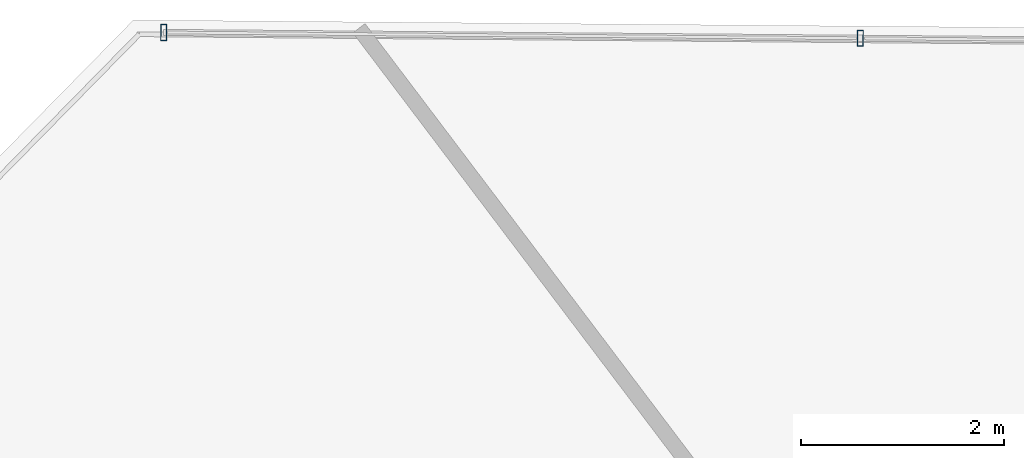
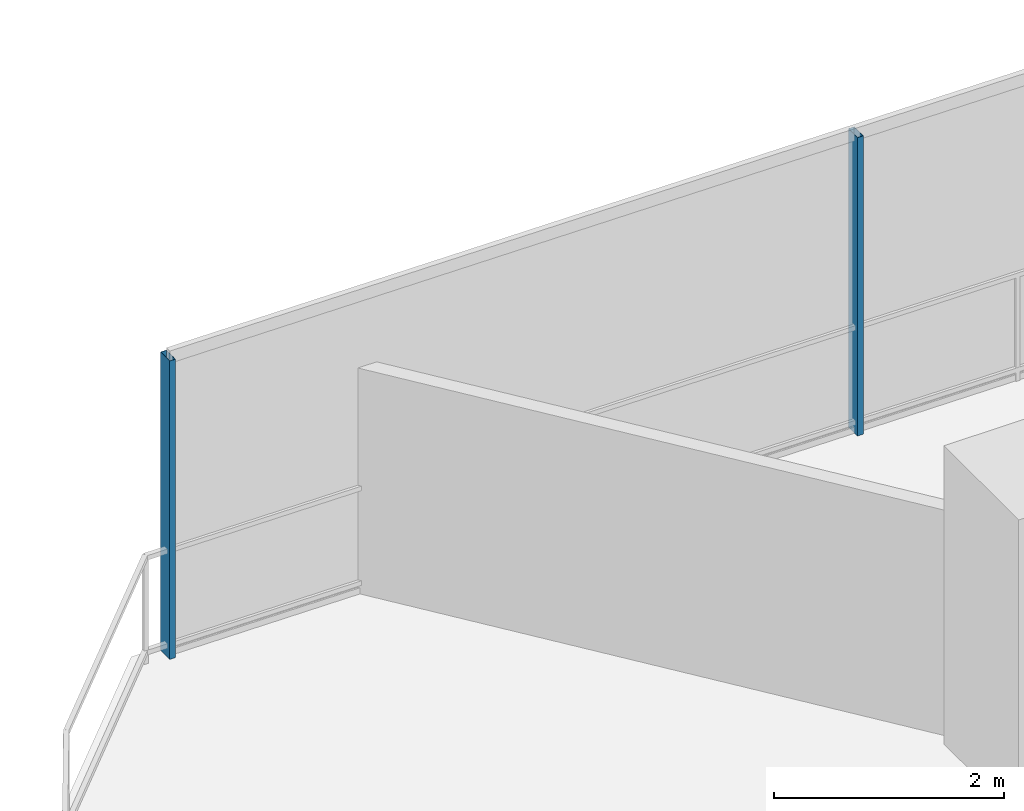
# One storey, part 17 of 31: 2 members, 1 element without a shape of its own.
"""IFC4 building model written with IfcOpenShell, lengths in metres."""

import ifcopenshell
import ifcopenshell.guid

model = None  # the IFC model being written
_history = None  # IfcOwnerHistory: only IFC2X3 demands one
_inside = {}  # id of a spatial element -> (the spatial element, [elements in it])
_under = {}  # id of a project, library or spatial element -> (it, [spatial elements below it])
_declared = {}  # id of a project -> (the project, [libraries it declares])
_typed = {}  # id of a type object -> (the type object, [elements of that type])
_made_of = {}  # id of a material, layer set ... -> (it, [elements and type objects made of it])


def new_model(schema):
    """Start an empty IFC model of exactly this schema.

    Asked for "IFC4X3", IfcOpenShell would pick the latest addendum, in which some entities
    have other attributes; the version numbers below select the first issue.
    IFC2X3 requires an IfcOwnerHistory on every rooted entity: one is made here for all.
    """
    global model, _history
    if schema == "IFC4X3":
        model = ifcopenshell.file(schema_version=(4, 3, 0, 0))
    else:
        model = ifcopenshell.file(schema=schema)
    _inside.clear()
    _under.clear()
    _declared.clear()
    _typed.clear()
    _made_of.clear()
    _history = None
    if model.schema == "IFC2X3":
        org = make("IfcOrganization", Name="unknown")
        user = make(
            "IfcPersonAndOrganization",
            ThePerson=make("IfcPerson", FamilyName="unknown"),
            TheOrganization=org,
        )
        app = make(
            "IfcApplication",
            ApplicationDeveloper=org,
            Version="unknown",
            ApplicationFullName="unknown",
            ApplicationIdentifier="unknown",
        )
        _history = make(
            "IfcOwnerHistory",
            OwningUser=user,
            OwningApplication=app,
            ChangeAction="ADDED",
            CreationDate=0,
        )
    return model


def make(cls, **values):
    """One entity of the class cls with the attributes given. An attribute that is None is left unset."""
    return model.create_entity(
        cls, **{name: value for name, value in values.items() if value is not None}
    )


def rooted(cls, **values):
    """An entity with a GlobalId (a new one), such as an element, a storey or a relation."""
    return make(cls, GlobalId=ifcopenshell.guid.new(), OwnerHistory=_history, **values)


def si_unit(unit_type, name, prefix=None):
    """IfcSIUnit, for example si_unit("LENGTHUNIT", "METRE", prefix="MILLI")."""
    return make("IfcSIUnit", UnitType=unit_type, Prefix=prefix, Name=name)


def assignment(units):
    """IfcUnitAssignment: the units of a project."""
    return None if units is None else make("IfcUnitAssignment", Units=units)


def point(xyz):
    """IfcCartesianPoint."""
    return None if xyz is None else make("IfcCartesianPoint", Coordinates=xyz)


def direction(xyz):
    """IfcDirection."""
    return None if xyz is None else make("IfcDirection", DirectionRatios=xyz)


def frame(location, z_axis=None, x_axis=None):
    """IfcAxis2Placement3D, a coordinate frame: its origin and axes. An axis left out is left unset."""
    return make(
        "IfcAxis2Placement3D",
        Location=point(location),
        Axis=direction(z_axis),
        RefDirection=direction(x_axis),
    )


def frame_2d(location, x_axis=None):
    """IfcAxis2Placement2D, a coordinate frame in the plane: its origin and x axis."""
    return make(
        "IfcAxis2Placement2D", Location=point(location), RefDirection=direction(x_axis)
    )


def origin():
    """The frame at (0, 0, 0) with its axes left unset."""
    return frame((0.0, 0.0, 0.0))


def origin_2d():
    """The frame at (0, 0) in the plane with its x axis left unset."""
    return frame_2d((0.0, 0.0))


def place(relative_to, where):
    """IfcLocalPlacement: puts the frame where relative to a parent placement (None: the world)."""
    return make(
        "IfcLocalPlacement", PlacementRelTo=relative_to, RelativePlacement=where
    )


def context(
    kind, dimensions, precision=None, world=None, true_north=None, identifier=None
):
    """IfcGeometricRepresentationContext, for example the 3D "Model" context."""
    return make(
        "IfcGeometricRepresentationContext",
        ContextIdentifier=identifier,
        ContextType=kind,
        CoordinateSpaceDimension=dimensions,
        Precision=precision,
        WorldCoordinateSystem=world,
        TrueNorth=true_north,
    )


def subcontext(parent, identifier, kind, view, scale=None):
    """IfcGeometricRepresentationSubContext, for example "Body" below "Model"."""
    return make(
        "IfcGeometricRepresentationSubContext",
        ContextIdentifier=identifier,
        ContextType=kind,
        ParentContext=parent,
        TargetScale=scale,
        TargetView=view,
    )


def project(units=None, contexts=None):
    """IfcProject with its units and contexts."""
    return rooted(
        "IfcProject",
        Name="project",
        RepresentationContexts=contexts,
        UnitsInContext=assignment(units),
    )


def spatial(cls, under=None, at=None, **own):
    """A site, building, storey or space (cls), placed at a placement, below another one or the project."""
    s = rooted(cls, ObjectPlacement=at, **own)
    if under is not None:
        _under.setdefault(under.id(), (under, []))[1].append(s)
    return s


def profile(cls, at=None, kind="AREA", **sizes):
    """A parametric profile (cls). Its sizes go by their IFC names, for example OverallWidth=200.0."""
    return make(cls, ProfileType=kind, Position=at, **sizes)


def hollow_rectangle(**sizes):
    """IfcRectangleHollowProfileDef."""
    return profile("IfcRectangleHollowProfileDef", **sizes)


def extrude(swept, where, along, depth):
    """IfcExtrudedAreaSolid: the profile swept, set in the frame where, extruded along a direction by depth."""
    return make(
        "IfcExtrudedAreaSolid",
        SweptArea=swept,
        Position=where,
        ExtrudedDirection=direction(along),
        Depth=depth,
    )


def shape(context_of_items, identifier, shape_type, items):
    """IfcShapeRepresentation: the items that make up one representation, for example the "Body"."""
    return make(
        "IfcShapeRepresentation",
        ContextOfItems=context_of_items,
        RepresentationIdentifier=identifier,
        RepresentationType=shape_type,
        Items=items,
    )


def material(Name=None, Category=None):
    """IfcMaterial."""
    return make("IfcMaterial", Name=Name, Category=Category)


def layer(
    of_material, thickness, ventilated=None, Name=None, Category=None, Priority=None
):
    """IfcMaterialLayer: one layer of a wall or slab, of a material (None: an air gap)."""
    return make(
        "IfcMaterialLayer",
        Material=of_material,
        LayerThickness=thickness,
        IsVentilated=ventilated,
        Name=Name,
        Category=Category,
        Priority=Priority,
    )


def layer_set(layers, Name=None):
    """IfcMaterialLayerSet."""
    return make("IfcMaterialLayerSet", MaterialLayers=layers, LayerSetName=Name)


def material_profile(
    of_material, cross_section, Name=None, Category=None, Priority=None
):
    """IfcMaterialProfile: a cross section and its material."""
    return make(
        "IfcMaterialProfile",
        Name=Name,
        Material=of_material,
        Profile=cross_section,
        Priority=Priority,
        Category=Category,
    )


def profile_set(profiles, Name=None, composite=None):
    """IfcMaterialProfileSet."""
    return make(
        "IfcMaterialProfileSet",
        Name=Name,
        MaterialProfiles=profiles,
        CompositeProfile=composite,
    )


def made_of(thing, what):
    """Note that an element or type object is made of a material, layer set ...; save() writes the relation."""
    if what is not None:
        _made_of.setdefault(what.id(), (what, []))[1].append(thing)
    return thing


def type_object(cls, material=None, **own):
    """A type object (cls), such as IfcWallType, which elements share."""
    return made_of(rooted(cls, **own), material)


def element(
    cls,
    number,
    at=None,
    inside=None,
    cuts=None,
    type_object=None,
    material=None,
    context=None,
    identifier="Body",
    shape_type=None,
    held_by="IfcProductDefinitionShape",
    body=None,
    shapes=None,
    **own,
):
    """One element of the class cls, such as IfcWall. Its Tag is "e" and its number.

    at: its placement. inside: the storey or other place that contains it. cuts: it is an
    opening in that element (IfcRelVoidsElement). A single representation is given by context,
    identifier, shape_type and body (its items); several are given by shapes. held_by: the class
    of the entity that holds the representations. save() writes the other relations.
    """
    e = rooted(cls, Tag="e%d" % number, ObjectPlacement=at, **own)
    if body is not None:
        shapes = [shape(context, identifier, shape_type, body)]
    if shapes is not None:
        e.Representation = make(held_by, Representations=shapes)
    if inside is not None:
        _inside.setdefault(inside.id(), (inside, []))[1].append(e)
    if cuts is not None:
        rooted(
            "IfcRelVoidsElement", RelatingBuildingElement=cuts, RelatedOpeningElement=e
        )
    if type_object is not None:
        _typed.setdefault(type_object.id(), (type_object, []))[1].append(e)
    return made_of(e, material)


def aggregate(whole, parts):
    """IfcRelAggregates: a whole, such as a stair, and the parts it consists of."""
    return rooted("IfcRelAggregates", RelatingObject=whole, RelatedObjects=parts)


def save(model, path):
    """Write the relations noted so far, then the file.

    IfcRelAggregates (storeys below a building ...), IfcRelContainedInSpatialStructure (elements
    in a storey), IfcRelDefinesByType, IfcRelAssociatesMaterial and IfcRelDeclares: one each for
    every whole, place, type object, material and project.
    """
    for whole, parts in _under.values():
        aggregate(whole, parts)
    for where, things in _inside.values():
        rooted(
            "IfcRelContainedInSpatialStructure",
            RelatedElements=things,
            RelatingStructure=where,
        )
    for kind, things in _typed.values():
        rooted("IfcRelDefinesByType", RelatedObjects=things, RelatingType=kind)
    for what, things in _made_of.values():
        rooted("IfcRelAssociatesMaterial", RelatedObjects=things, RelatingMaterial=what)
    for by, libraries in _declared.values():
        rooted("IfcRelDeclares", RelatingContext=by, RelatedDefinitions=libraries)
    model.write(path)


model = new_model("IFC4")

# Units and contexts
model_context = context("Model", 3, precision=1e-05, world=origin(), true_north=direction((0.0, 1.0)))
body_context = subcontext(model_context, "Body", "Model", "MODEL_VIEW")
ifc_project = project(units=[si_unit("LENGTHUNIT", "METRE"), si_unit("AREAUNIT", "SQUARE_METRE"), si_unit("VOLUMEUNIT", "CUBIC_METRE"), si_unit("PLANEANGLEUNIT", "RADIAN"), si_unit("MASSUNIT", "GRAM", prefix="KILO")], contexts=[model_context])

# Site, building, storey
site_placement = place(None, origin())
site = spatial("IfcSite", under=ifc_project, at=site_placement, CompositionType="ELEMENT")
building_placement = place(site_placement, origin())
building = spatial("IfcBuilding", under=site, at=building_placement, Name="Qarnah Convention Tower", CompositionType="ELEMENT")
storey_placement = place(building_placement, frame((0.0, 0.0, 64.949951171875)))
storey = spatial("IfcBuildingStorey", under=building, at=storey_placement, Name="L16", CompositionType="ELEMENT", Elevation=64.949951171875)

# Curtain wall, members
ifc_material_1 = material(Name="Tempered Low-E dark glass", Category="glass")
ifc_layer = layer(ifc_material_1, 0.16796875)
ifc_layer_set = layer_set([ifc_layer], Name="Tempered Low-E dark glass")
curtain_wall_type = type_object("IfcCurtainWallType", Name="CWS-01", PredefinedType="NOTDEFINED", material=ifc_layer_set)
curtain_wall_placement = place(storey_placement, origin())
curtain_wall = element("IfcCurtainWall", 1, at=curtain_wall_placement, inside=storey, type_object=curtain_wall_type, Name="L16 unitised curtain wall CW-L16-F1", PredefinedType="NOTDEFINED")
ifc_material_2 = material(Name="Black anodised aluminium", Category="aluminium")
ifc_material_profile = material_profile(ifc_material_2, hollow_rectangle(XDim=0.06005859375, YDim=0.159912109375, WallThickness=0.00390625, at=origin_2d()), Name="MUL-60X160")
ifc_profile_set = profile_set([ifc_material_profile], Name="Black anodised aluminium")
member_type = type_object("IfcMemberType", Name="MUL-T1", PredefinedType="MULLION", material=ifc_profile_set)
member_1_placement = place(storey_placement, frame((21.197021484375, 44.654052734375, 0.0), z_axis=(0.0, 0.0, 1.0), x_axis=(0.999965190634, -0.008343711474, 0.0)))
member_1 = element("IfcMember", 2, at=member_1_placement, type_object=member_type, Name="CW-L16-F1 mullion 1", PredefinedType="MULLION", context=body_context, shape_type="SweptSolid", body=[
    extrude(hollow_rectangle(XDim=0.06005859375, YDim=0.159912109375, WallThickness=0.00390625, at=origin_2d()), origin(), (0.0, 0.0, 1.0), 3.170166015625),
])
member_2_placement = place(storey_placement, frame((28.076171875, 44.5966796875, 0.0), z_axis=(0.0, 0.0, 1.0), x_axis=(0.999965190634, -0.008343711474, 0.0)))
member_2 = element("IfcMember", 3, at=member_2_placement, type_object=member_type, Name="CW-L16-F1 mullion 2", PredefinedType="MULLION", context=body_context, shape_type="SweptSolid", body=[
    extrude(hollow_rectangle(XDim=0.06005859375, YDim=0.159912109375, WallThickness=0.00390625, at=origin_2d()), origin(), (0.0, 0.0, 1.0), 3.170166015625),
])
aggregate(curtain_wall, [member_1, member_2])

save(model, "model.ifc")
